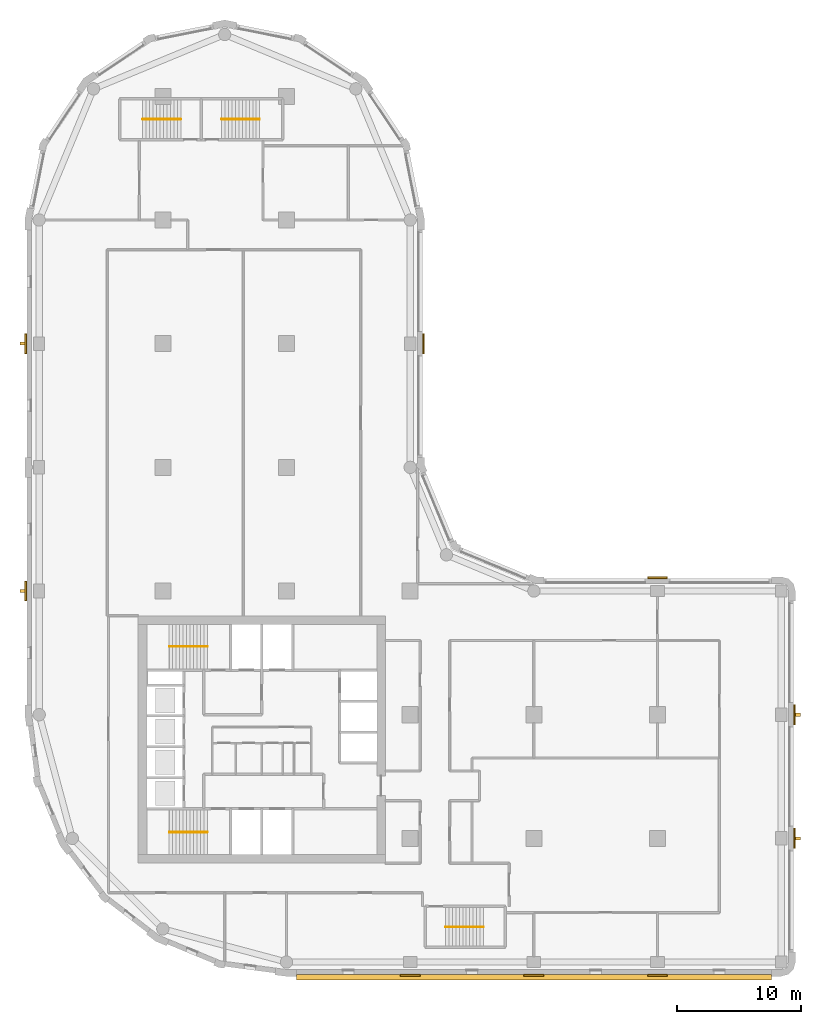
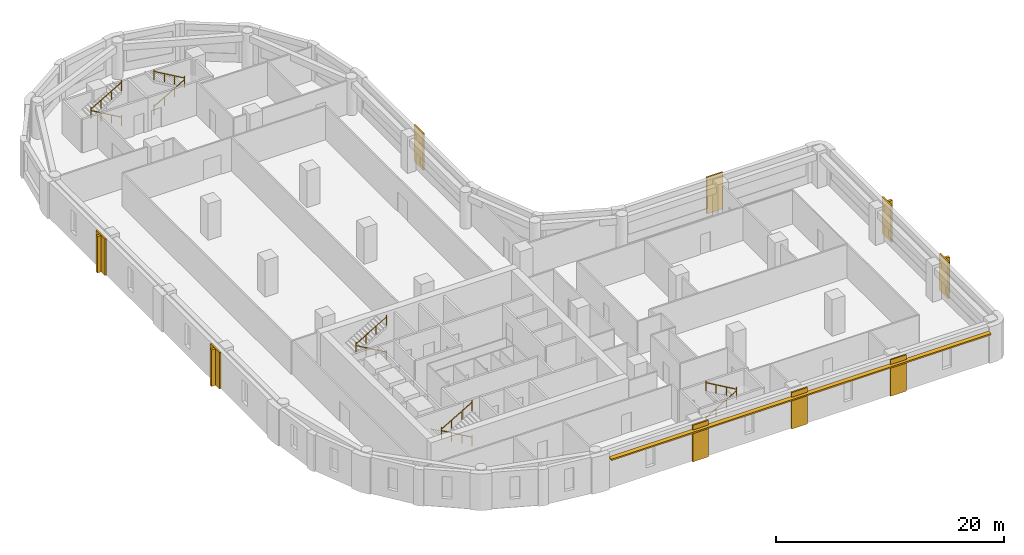
# One storey, part 8 of 9: 10 railings, 9 coverings, 5 shading devices.
"""IFC4 building model written with IfcOpenShell, lengths in metres."""

import ifcopenshell
import ifcopenshell.guid

model = None  # the IFC model being written
_history = None  # IfcOwnerHistory: only IFC2X3 demands one
_inside = {}  # id of a spatial element -> (the spatial element, [elements in it])
_under = {}  # id of a project, library or spatial element -> (it, [spatial elements below it])
_declared = {}  # id of a project -> (the project, [libraries it declares])
_typed = {}  # id of a type object -> (the type object, [elements of that type])
_made_of = {}  # id of a material, layer set ... -> (it, [elements and type objects made of it])


def new_model(schema):
    """Start an empty IFC model of exactly this schema.

    Asked for "IFC4X3", IfcOpenShell would pick the latest addendum, in which some entities
    have other attributes; the version numbers below select the first issue.
    IFC2X3 requires an IfcOwnerHistory on every rooted entity: one is made here for all.
    """
    global model, _history
    if schema == "IFC4X3":
        model = ifcopenshell.file(schema_version=(4, 3, 0, 0))
    else:
        model = ifcopenshell.file(schema=schema)
    _inside.clear()
    _under.clear()
    _declared.clear()
    _typed.clear()
    _made_of.clear()
    _history = None
    if model.schema == "IFC2X3":
        org = make("IfcOrganization", Name="unknown")
        user = make(
            "IfcPersonAndOrganization",
            ThePerson=make("IfcPerson", FamilyName="unknown"),
            TheOrganization=org,
        )
        app = make(
            "IfcApplication",
            ApplicationDeveloper=org,
            Version="unknown",
            ApplicationFullName="unknown",
            ApplicationIdentifier="unknown",
        )
        _history = make(
            "IfcOwnerHistory",
            OwningUser=user,
            OwningApplication=app,
            ChangeAction="ADDED",
            CreationDate=0,
        )
    return model


def make(cls, **values):
    """One entity of the class cls with the attributes given. An attribute that is None is left unset."""
    return model.create_entity(
        cls, **{name: value for name, value in values.items() if value is not None}
    )


def rooted(cls, **values):
    """An entity with a GlobalId (a new one), such as an element, a storey or a relation."""
    return make(cls, GlobalId=ifcopenshell.guid.new(), OwnerHistory=_history, **values)


def si_unit(unit_type, name, prefix=None):
    """IfcSIUnit, for example si_unit("LENGTHUNIT", "METRE", prefix="MILLI")."""
    return make("IfcSIUnit", UnitType=unit_type, Prefix=prefix, Name=name)


def assignment(units):
    """IfcUnitAssignment: the units of a project."""
    return None if units is None else make("IfcUnitAssignment", Units=units)


def point(xyz):
    """IfcCartesianPoint."""
    return None if xyz is None else make("IfcCartesianPoint", Coordinates=xyz)


def direction(xyz):
    """IfcDirection."""
    return None if xyz is None else make("IfcDirection", DirectionRatios=xyz)


def frame(location, z_axis=None, x_axis=None):
    """IfcAxis2Placement3D, a coordinate frame: its origin and axes. An axis left out is left unset."""
    return make(
        "IfcAxis2Placement3D",
        Location=point(location),
        Axis=direction(z_axis),
        RefDirection=direction(x_axis),
    )


def frame_2d(location, x_axis=None):
    """IfcAxis2Placement2D, a coordinate frame in the plane: its origin and x axis."""
    return make(
        "IfcAxis2Placement2D", Location=point(location), RefDirection=direction(x_axis)
    )


def origin():
    """The frame at (0, 0, 0) with its axes left unset."""
    return frame((0.0, 0.0, 0.0))


def origin_2d():
    """The frame at (0, 0) in the plane with its x axis left unset."""
    return frame_2d((0.0, 0.0))


def place(relative_to, where):
    """IfcLocalPlacement: puts the frame where relative to a parent placement (None: the world)."""
    return make(
        "IfcLocalPlacement", PlacementRelTo=relative_to, RelativePlacement=where
    )


def context(
    kind, dimensions, precision=None, world=None, true_north=None, identifier=None
):
    """IfcGeometricRepresentationContext, for example the 3D "Model" context."""
    return make(
        "IfcGeometricRepresentationContext",
        ContextIdentifier=identifier,
        ContextType=kind,
        CoordinateSpaceDimension=dimensions,
        Precision=precision,
        WorldCoordinateSystem=world,
        TrueNorth=true_north,
    )


def subcontext(parent, identifier, kind, view, scale=None):
    """IfcGeometricRepresentationSubContext, for example "Body" below "Model"."""
    return make(
        "IfcGeometricRepresentationSubContext",
        ContextIdentifier=identifier,
        ContextType=kind,
        ParentContext=parent,
        TargetScale=scale,
        TargetView=view,
    )


def project(units=None, contexts=None):
    """IfcProject with its units and contexts."""
    return rooted(
        "IfcProject",
        Name="project",
        RepresentationContexts=contexts,
        UnitsInContext=assignment(units),
    )


def spatial(cls, under=None, at=None, **own):
    """A site, building, storey or space (cls), placed at a placement, below another one or the project."""
    s = rooted(cls, ObjectPlacement=at, **own)
    if under is not None:
        _under.setdefault(under.id(), (under, []))[1].append(s)
    return s


def polyline(points):
    """IfcPolyline through the points."""
    return make("IfcPolyline", Points=[point(p) for p in points])


def profile(cls, at=None, kind="AREA", **sizes):
    """A parametric profile (cls). Its sizes go by their IFC names, for example OverallWidth=200.0."""
    return make(cls, ProfileType=kind, Position=at, **sizes)


def rectangle(**sizes):
    """IfcRectangleProfileDef."""
    return profile("IfcRectangleProfileDef", **sizes)


def circle(**sizes):
    """IfcCircleProfileDef."""
    return profile("IfcCircleProfileDef", **sizes)


def outline(outer, holes=None, kind="AREA"):
    """IfcArbitraryClosedProfileDef: a profile drawn as a closed curve; with holes, ...WithVoids."""
    if holes is None:
        return make("IfcArbitraryClosedProfileDef", ProfileType=kind, OuterCurve=outer)
    return make(
        "IfcArbitraryProfileDefWithVoids",
        ProfileType=kind,
        OuterCurve=outer,
        InnerCurves=holes,
    )


def extrude(swept, where, along, depth):
    """IfcExtrudedAreaSolid: the profile swept, set in the frame where, extruded along a direction by depth."""
    return make(
        "IfcExtrudedAreaSolid",
        SweptArea=swept,
        Position=where,
        ExtrudedDirection=direction(along),
        Depth=depth,
    )


def shape(context_of_items, identifier, shape_type, items):
    """IfcShapeRepresentation: the items that make up one representation, for example the "Body"."""
    return make(
        "IfcShapeRepresentation",
        ContextOfItems=context_of_items,
        RepresentationIdentifier=identifier,
        RepresentationType=shape_type,
        Items=items,
    )


def material(Name=None, Category=None):
    """IfcMaterial."""
    return make("IfcMaterial", Name=Name, Category=Category)


def layer(
    of_material, thickness, ventilated=None, Name=None, Category=None, Priority=None
):
    """IfcMaterialLayer: one layer of a wall or slab, of a material (None: an air gap)."""
    return make(
        "IfcMaterialLayer",
        Material=of_material,
        LayerThickness=thickness,
        IsVentilated=ventilated,
        Name=Name,
        Category=Category,
        Priority=Priority,
    )


def layer_set(layers, Name=None):
    """IfcMaterialLayerSet."""
    return make("IfcMaterialLayerSet", MaterialLayers=layers, LayerSetName=Name)


def made_of(thing, what):
    """Note that an element or type object is made of a material, layer set ...; save() writes the relation."""
    if what is not None:
        _made_of.setdefault(what.id(), (what, []))[1].append(thing)
    return thing


def type_object(cls, material=None, **own):
    """A type object (cls), such as IfcWallType, which elements share."""
    return made_of(rooted(cls, **own), material)


def element(
    cls,
    number,
    at=None,
    inside=None,
    cuts=None,
    type_object=None,
    material=None,
    context=None,
    identifier="Body",
    shape_type=None,
    held_by="IfcProductDefinitionShape",
    body=None,
    shapes=None,
    **own,
):
    """One element of the class cls, such as IfcWall. Its Tag is "e" and its number.

    at: its placement. inside: the storey or other place that contains it. cuts: it is an
    opening in that element (IfcRelVoidsElement). A single representation is given by context,
    identifier, shape_type and body (its items); several are given by shapes. held_by: the class
    of the entity that holds the representations. save() writes the other relations.
    """
    e = rooted(cls, Tag="e%d" % number, ObjectPlacement=at, **own)
    if body is not None:
        shapes = [shape(context, identifier, shape_type, body)]
    if shapes is not None:
        e.Representation = make(held_by, Representations=shapes)
    if inside is not None:
        _inside.setdefault(inside.id(), (inside, []))[1].append(e)
    if cuts is not None:
        rooted(
            "IfcRelVoidsElement", RelatingBuildingElement=cuts, RelatedOpeningElement=e
        )
    if type_object is not None:
        _typed.setdefault(type_object.id(), (type_object, []))[1].append(e)
    return made_of(e, material)


def aggregate(whole, parts):
    """IfcRelAggregates: a whole, such as a stair, and the parts it consists of."""
    return rooted("IfcRelAggregates", RelatingObject=whole, RelatedObjects=parts)


def save(model, path):
    """Write the relations noted so far, then the file.

    IfcRelAggregates (storeys below a building ...), IfcRelContainedInSpatialStructure (elements
    in a storey), IfcRelDefinesByType, IfcRelAssociatesMaterial and IfcRelDeclares: one each for
    every whole, place, type object, material and project.
    """
    for whole, parts in _under.values():
        aggregate(whole, parts)
    for where, things in _inside.values():
        rooted(
            "IfcRelContainedInSpatialStructure",
            RelatedElements=things,
            RelatingStructure=where,
        )
    for kind, things in _typed.values():
        rooted("IfcRelDefinesByType", RelatedObjects=things, RelatingType=kind)
    for what, things in _made_of.values():
        rooted("IfcRelAssociatesMaterial", RelatedObjects=things, RelatingMaterial=what)
    for by, libraries in _declared.values():
        rooted("IfcRelDeclares", RelatingContext=by, RelatedDefinitions=libraries)
    model.write(path)


model = new_model("IFC4")

# Units and contexts
model_context = context("Model", 3, precision=1e-05, world=origin(), true_north=direction((0.0, 1.0)))
body_context = subcontext(model_context, "Body", "Model", "MODEL_VIEW")
ifc_project = project(units=[si_unit("LENGTHUNIT", "METRE"), si_unit("AREAUNIT", "SQUARE_METRE"), si_unit("VOLUMEUNIT", "CUBIC_METRE"), si_unit("PLANEANGLEUNIT", "RADIAN"), si_unit("MASSUNIT", "GRAM", prefix="KILO")], contexts=[model_context])

# Site, building, storey
site_placement = place(None, origin())
site = spatial("IfcSite", under=ifc_project, at=site_placement, CompositionType="ELEMENT")
building_placement = place(site_placement, origin())
building = spatial("IfcBuilding", under=site, at=building_placement, Name="Qaws Garden Tower", CompositionType="ELEMENT")
storey_placement = place(building_placement, frame((0.0, 0.0, 147.300048828125)))
storey = spatial("IfcBuildingStorey", under=building, at=storey_placement, Name="L35", CompositionType="ELEMENT", Elevation=147.300048828125)

# Coverings
ifc_material_1 = material(Name="Clay facing brick masonry", Category="masonry")
ifc_layer_1 = layer(ifc_material_1, 0.14990234375)
ifc_layer_set_1 = layer_set([ifc_layer_1], Name="Clay facing brick masonry")
covering_type = type_object("IfcCoveringType", Name="Brick pilaster facing 150 x 1600", PredefinedType="CLADDING", material=ifc_layer_set_1)
placement = place(storey_placement, origin())
element("IfcCovering", 1, at=placement, inside=storey, type_object=covering_type, Name="E-L35-pier-01", PredefinedType="CLADDING", context=body_context, shape_type="SweptSolid", body=[
    extrude(outline(polyline([(29.199951171875, -1.0), (30.800048828125, -1.0), (30.800048828125, -1.14990234375), (29.199951171875, -1.14990234375), (29.199951171875, -1.0)])), origin(), (0.0, 0.0, 1.0), 3.89990234375),
])
element("IfcCovering", 2, at=placement, inside=storey, type_object=covering_type, Name="E-L35-pier-02", PredefinedType="CLADDING", context=body_context, shape_type="SweptSolid", body=[
    extrude(outline(polyline([(39.199951171875, -1.0), (40.800048828125, -1.0), (40.800048828125, -1.14990234375), (39.199951171875, -1.14990234375), (39.199951171875, -1.0)])), origin(), (0.0, 0.0, 1.0), 3.89990234375),
])
element("IfcCovering", 3, at=placement, inside=storey, type_object=covering_type, Name="E-L35-pier-03", PredefinedType="CLADDING", context=body_context, shape_type="SweptSolid", body=[
    extrude(outline(polyline([(49.199951171875, -1.0), (50.800048828125, -1.0), (50.800048828125, -1.14990234375), (49.199951171875, -1.14990234375), (49.199951171875, -1.0)])), origin(), (0.0, 0.0, 1.0), 3.89990234375),
])
element("IfcCovering", 4, at=placement, inside=storey, type_object=covering_type, Name="E-L35-pier-05", PredefinedType="CLADDING", context=body_context, shape_type="SweptSolid", body=[
    extrude(outline(polyline([(61.0, 9.199951171875), (61.0, 10.800048828125), (61.14990234375, 10.800048828125), (61.14990234375, 9.199951171875), (61.0, 9.199951171875)])), origin(), (0.0, 0.0, 1.0), 3.89990234375),
])
element("IfcCovering", 5, at=placement, inside=storey, type_object=covering_type, Name="E-L35-pier-06", PredefinedType="CLADDING", context=body_context, shape_type="SweptSolid", body=[
    extrude(outline(polyline([(61.0, 19.199951171875), (61.0, 20.800048828125), (61.14990234375, 20.800048828125), (61.14990234375, 19.199951171875), (61.0, 19.199951171875)])), origin(), (0.0, 0.0, 1.0), 3.89990234375),
])
element("IfcCovering", 6, at=placement, inside=storey, type_object=covering_type, Name="E-L35-pier-08", PredefinedType="CLADDING", context=body_context, shape_type="SweptSolid", body=[
    extrude(outline(polyline([(50.800048828125, 31.0), (49.199951171875, 31.0), (49.199951171875, 31.14990234375), (50.800048828125, 31.14990234375), (50.800048828125, 31.0)])), origin(), (0.0, 0.0, 1.0), 3.89990234375),
])
element("IfcCovering", 7, at=placement, inside=storey, type_object=covering_type, Name="E-L35-pier-12", PredefinedType="CLADDING", context=body_context, shape_type="SweptSolid", body=[
    extrude(outline(polyline([(31.0, 49.199951171875), (31.0, 50.800048828125), (31.14990234375, 50.800048828125), (31.14990234375, 49.199951171875), (31.0, 49.199951171875)])), origin(), (0.0, 0.0, 1.0), 3.89990234375),
])
element("IfcCovering", 8, at=placement, inside=storey, type_object=covering_type, Name="E-L35-pier-22", PredefinedType="CLADDING", context=body_context, shape_type="SweptSolid", body=[
    extrude(outline(polyline([(-1.0, 50.800048828125), (-1.0, 49.199951171875), (-1.14990234375, 49.199951171875), (-1.14990234375, 50.800048828125), (-1.0, 50.800048828125)])), origin(), (0.0, 0.0, 1.0), 3.89990234375),
])
element("IfcCovering", 9, at=placement, inside=storey, type_object=covering_type, Name="E-L35-pier-24", PredefinedType="CLADDING", context=body_context, shape_type="SweptSolid", body=[
    extrude(outline(polyline([(-1.0, 30.800048828125), (-1.0, 29.199951171875), (-1.14990234375, 29.199951171875), (-1.14990234375, 30.800048828125), (-1.0, 30.800048828125)])), origin(), (0.0, 0.0, 1.0), 3.89990234375),
])

# Shading devices
ifc_material_2 = material(Name="Clay facing brick masonry", Category="masonry")
ifc_layer_2 = layer(ifc_material_2, 0.14990234375)
ifc_layer_set_2 = layer_set([ifc_layer_2], Name="Clay facing brick masonry")
shading_device_type_1 = type_object("IfcShadingDeviceType", Name="Brick sunshade band 450 x 150", PredefinedType="JALOUSIE", material=ifc_layer_set_2)
shading_device_placement = place(storey_placement, frame((0.0, 0.0, 3.25)))
element("IfcShadingDevice", 10, at=shading_device_placement, inside=storey, type_object=shading_device_type_1, Name="SUNSHADE 00", PredefinedType="JALOUSIE", context=body_context, shape_type="SweptSolid", body=[
    extrude(outline(polyline([(20.800048828125, -1.0), (20.800048828125, -1.449951171875), (59.199951171875, -1.449951171875), (59.199951171875, -1.0), (50.800048828125, -1.0), (50.800048828125, -1.14990234375), (49.199951171875, -1.14990234375), (49.199951171875, -1.0), (40.800048828125, -1.0), (40.800048828125, -1.14990234375), (39.199951171875, -1.14990234375), (39.199951171875, -1.0), (30.800048828125, -1.0), (30.800048828125, -1.14990234375), (29.199951171875, -1.14990234375), (29.199951171875, -1.0), (20.800048828125, -1.0)])), origin(), (0.0, 0.0, 1.0), 0.14990234375),
])
ifc_material_3 = material(Name="Clay facing brick masonry", Category="masonry")
ifc_layer_3 = layer(ifc_material_3, 0.25)
ifc_layer_set_3 = layer_set([ifc_layer_3], Name="Clay facing brick masonry")
shading_device_type_2 = type_object("IfcShadingDeviceType", Name="Brick-faced fin 250 x 400", PredefinedType="USERDEFINED", material=ifc_layer_set_3)
for number, where, z_axis, x_axis, name in (
    (11, (61.35009765625, 10.0, 0.0), (0.0, 0.0, 1.0), (0.0, 1.0, 0.0), "FIN 05"),
    (12, (61.35009765625, 20.0, 0.0), (0.0, 0.0, 1.0), (0.0, 1.0, 0.0), "FIN 06"),
    (13, (-1.35009765625, 50.0, 0.0), (0.0, 0.0, 1.0), (0.0, -1.0, 0.0), "FIN 22"),
    (14, (-1.35009765625, 30.0, 0.0), (0.0, 0.0, 1.0), (0.0, -1.0, 0.0), "FIN 24"),
):
    element("IfcShadingDevice", number, at=place(storey_placement, frame(where, z_axis=z_axis, x_axis=x_axis)), inside=storey, type_object=shading_device_type_2, Name=name, ObjectType="FIN", PredefinedType="USERDEFINED", context=body_context, shape_type="SweptSolid", body=[
        extrude(rectangle(XDim=0.25, YDim=0.39990234375, at=origin_2d()), origin(), (0.0, 0.0, 1.0), 3.89990234375),
    ])

# Railings
ifc_material_4 = material(Name="Steel S355", Category="steel")
railing_type = type_object("IfcRailingType", Name="Stair handrail 900", PredefinedType="HANDRAIL", material=ifc_material_4)
railing_1_placement = place(storey_placement, frame((13.60009765625, 10.5, 0.162353515625)))
element("IfcRailing", 15, at=railing_1_placement, inside=storey, type_object=railing_type, Name="Stair 1 handrail", PredefinedType="HANDRAIL", context=body_context, shape_type="SweptSolid", body=[
    extrude(circle(Radius=0.02392578125, at=origin_2d()), frame((0.0, 0.0, 0.8759765625), z_axis=(-0.864890721111, 0.0, 0.501960198159), x_axis=(0.0, -1.0, 0.0)), (0.0, 0.0, 1.0), 3.561279296875),
    extrude(circle(Radius=0.02099609375, at=origin_2d()), origin(), (0.0, 0.0, 1.0), 1.06201171875),
    extrude(circle(Radius=0.02099609375, at=origin_2d()), frame((-1.026611328125, 0.0, 0.595947265625)), (0.0, 0.0, 1.0), 0.851806640625),
    extrude(circle(Radius=0.02099609375, at=origin_2d()), frame((-2.053466796875, 0.0, 1.191650390625)), (0.0, 0.0, 1.0), 0.851806640625),
    extrude(circle(Radius=0.02099609375, at=origin_2d()), frame((-3.080078125, 0.0, 1.78759765625)), (0.0, 0.0, 1.0), 1.06201171875),
])
railing_2_placement = place(storey_placement, frame((10.52001953125, 10.5, 2.112548828125)))
element("IfcRailing", 16, at=railing_2_placement, inside=storey, type_object=railing_type, Name="Stair 1 handrail", PredefinedType="HANDRAIL", context=body_context, shape_type="SweptSolid", body=[
    extrude(circle(Radius=0.02392578125, at=origin_2d()), frame((0.0, 0.0, 0.8759765625), z_axis=(0.864920483161, 0.0, 0.501908913857), x_axis=(0.0, 1.0, 0.0)), (0.0, 0.0, 1.0), 3.56103515625),
    extrude(circle(Radius=0.02099609375, at=origin_2d()), origin(), (0.0, 0.0, 1.0), 1.06201171875),
    extrude(circle(Radius=0.02099609375, at=origin_2d()), frame((1.026611328125, 0.0, 0.595703125)), (0.0, 0.0, 1.0), 0.851806640625),
    extrude(circle(Radius=0.02099609375, at=origin_2d()), frame((2.053466796875, 0.0, 1.191650390625)), (0.0, 0.0, 1.0), 0.851806640625),
    extrude(circle(Radius=0.02099609375, at=origin_2d()), frame((3.080078125, 0.0, 1.787353515625)), (0.0, 0.0, 1.0), 1.06201171875),
])
railing_3_placement = place(storey_placement, frame((13.60009765625, 25.5, 0.162353515625)))
element("IfcRailing", 17, at=railing_3_placement, inside=storey, type_object=railing_type, Name="Stair 4 handrail", PredefinedType="HANDRAIL", context=body_context, shape_type="SweptSolid", body=[
    extrude(circle(Radius=0.02392578125, at=origin_2d()), frame((0.0, 0.0, 0.8759765625), z_axis=(-0.864890721111, 0.0, 0.501960198159), x_axis=(0.0, -1.0, 0.0)), (0.0, 0.0, 1.0), 3.561279296875),
    extrude(circle(Radius=0.02099609375, at=origin_2d()), origin(), (0.0, 0.0, 1.0), 1.06201171875),
    extrude(circle(Radius=0.02099609375, at=origin_2d()), frame((-1.026611328125, 0.0, 0.595947265625)), (0.0, 0.0, 1.0), 0.851806640625),
    extrude(circle(Radius=0.02099609375, at=origin_2d()), frame((-2.053466796875, 0.0, 1.191650390625)), (0.0, 0.0, 1.0), 0.851806640625),
    extrude(circle(Radius=0.02099609375, at=origin_2d()), frame((-3.080078125, 0.0, 1.78759765625)), (0.0, 0.0, 1.0), 1.06201171875),
])
railing_4_placement = place(storey_placement, frame((10.52001953125, 25.5, 2.112548828125)))
element("IfcRailing", 18, at=railing_4_placement, inside=storey, type_object=railing_type, Name="Stair 4 handrail", PredefinedType="HANDRAIL", context=body_context, shape_type="SweptSolid", body=[
    extrude(circle(Radius=0.02392578125, at=origin_2d()), frame((0.0, 0.0, 0.8759765625), z_axis=(0.864920483161, 0.0, 0.501908913857), x_axis=(0.0, 1.0, 0.0)), (0.0, 0.0, 1.0), 3.56103515625),
    extrude(circle(Radius=0.02099609375, at=origin_2d()), origin(), (0.0, 0.0, 1.0), 1.06201171875),
    extrude(circle(Radius=0.02099609375, at=origin_2d()), frame((1.026611328125, 0.0, 0.595703125)), (0.0, 0.0, 1.0), 0.851806640625),
    extrude(circle(Radius=0.02099609375, at=origin_2d()), frame((2.053466796875, 0.0, 1.191650390625)), (0.0, 0.0, 1.0), 0.851806640625),
    extrude(circle(Radius=0.02099609375, at=origin_2d()), frame((3.080078125, 0.0, 1.787353515625)), (0.0, 0.0, 1.0), 1.06201171875),
])
railing_5_placement = place(storey_placement, frame((32.85009765625, 2.85009765625, 0.162353515625)))
element("IfcRailing", 19, at=railing_5_placement, inside=storey, type_object=railing_type, Name="Stair 5 handrail", PredefinedType="HANDRAIL", context=body_context, shape_type="SweptSolid", body=[
    extrude(circle(Radius=0.02392578125, at=origin_2d()), frame((0.0, 0.0, 0.8759765625), z_axis=(0.864873446163, 0.0, 0.501989962173), x_axis=(0.0, 1.0, 0.0)), (0.0, 0.0, 1.0), 3.56103515625),
    extrude(circle(Radius=0.02099609375, at=origin_2d()), origin(), (0.0, 0.0, 1.0), 1.06201171875),
    extrude(circle(Radius=0.02099609375, at=origin_2d()), frame((1.026611328125, 0.0, 0.595947265625)), (0.0, 0.0, 1.0), 0.851806640625),
    extrude(circle(Radius=0.02099609375, at=origin_2d()), frame((2.05322265625, 0.0, 1.191650390625)), (0.0, 0.0, 1.0), 0.851806640625),
    extrude(circle(Radius=0.02099609375, at=origin_2d()), frame((3.079833984375, 0.0, 1.78759765625)), (0.0, 0.0, 1.0), 1.06201171875),
])
railing_6_placement = place(storey_placement, frame((35.929931640625, 2.85009765625, 2.112548828125)))
element("IfcRailing", 20, at=railing_6_placement, inside=storey, type_object=railing_type, Name="Stair 5 handrail", PredefinedType="HANDRAIL", context=body_context, shape_type="SweptSolid", body=[
    extrude(circle(Radius=0.02392578125, at=origin_2d()), frame((0.0, 0.0, 0.8759765625), z_axis=(-0.864903211148, 0.0, 0.501938676878), x_axis=(0.0, -1.0, 0.0)), (0.0, 0.0, 1.0), 3.560791015625),
    extrude(circle(Radius=0.02099609375, at=origin_2d()), origin(), (0.0, 0.0, 1.0), 1.06201171875),
    extrude(circle(Radius=0.02099609375, at=origin_2d()), frame((-1.026611328125, 0.0, 0.595703125)), (0.0, 0.0, 1.0), 0.851806640625),
    extrude(circle(Radius=0.02099609375, at=origin_2d()), frame((-2.05322265625, 0.0, 1.191650390625)), (0.0, 0.0, 1.0), 0.851806640625),
    extrude(circle(Radius=0.02099609375, at=origin_2d()), frame((-3.079833984375, 0.0, 1.787353515625)), (0.0, 0.0, 1.0), 1.06201171875),
])
railing_7_placement = place(storey_placement, frame((11.449951171875, 68.14990234375, 0.162353515625)))
element("IfcRailing", 21, at=railing_7_placement, inside=storey, type_object=railing_type, Name="Stair 6 handrail", PredefinedType="HANDRAIL", context=body_context, shape_type="SweptSolid", body=[
    extrude(circle(Radius=0.02392578125, at=origin_2d()), frame((0.0, 0.0, 0.8759765625), z_axis=(-0.864873446163, 0.0, 0.501989962173), x_axis=(0.0, -1.0, 0.0)), (0.0, 0.0, 1.0), 3.56103515625),
    extrude(circle(Radius=0.02099609375, at=origin_2d()), origin(), (0.0, 0.0, 1.0), 1.06201171875),
    extrude(circle(Radius=0.02099609375, at=origin_2d()), frame((-1.026611328125, 0.0, 0.595947265625)), (0.0, 0.0, 1.0), 0.851806640625),
    extrude(circle(Radius=0.02099609375, at=origin_2d()), frame((-2.05322265625, 0.0, 1.191650390625)), (0.0, 0.0, 1.0), 0.851806640625),
    extrude(circle(Radius=0.02099609375, at=origin_2d()), frame((-3.079833984375, 0.0, 1.78759765625)), (0.0, 0.0, 1.0), 1.06201171875),
])
railing_8_placement = place(storey_placement, frame((8.3701171875, 68.14990234375, 2.112548828125)))
element("IfcRailing", 22, at=railing_8_placement, inside=storey, type_object=railing_type, Name="Stair 6 handrail", PredefinedType="HANDRAIL", context=body_context, shape_type="SweptSolid", body=[
    extrude(circle(Radius=0.02392578125, at=origin_2d()), frame((0.0, 0.0, 0.8759765625), z_axis=(0.864903211148, 0.0, 0.501938676878), x_axis=(0.0, 1.0, 0.0)), (0.0, 0.0, 1.0), 3.560791015625),
    extrude(circle(Radius=0.02099609375, at=origin_2d()), origin(), (0.0, 0.0, 1.0), 1.06201171875),
    extrude(circle(Radius=0.02099609375, at=origin_2d()), frame((1.026611328125, 0.0, 0.595703125)), (0.0, 0.0, 1.0), 0.851806640625),
    extrude(circle(Radius=0.02099609375, at=origin_2d()), frame((2.05322265625, 0.0, 1.191650390625)), (0.0, 0.0, 1.0), 0.851806640625),
    extrude(circle(Radius=0.02099609375, at=origin_2d()), frame((3.079833984375, 0.0, 1.787353515625)), (0.0, 0.0, 1.0), 1.06201171875),
])
railing_9_placement = place(storey_placement, frame((14.75, 68.14990234375, 0.162353515625)))
element("IfcRailing", 23, at=railing_9_placement, inside=storey, type_object=railing_type, Name="Stair 7 handrail", PredefinedType="HANDRAIL", context=body_context, shape_type="SweptSolid", body=[
    extrude(circle(Radius=0.02392578125, at=origin_2d()), frame((0.0, 0.0, 0.8759765625), z_axis=(0.864890721111, 0.0, 0.501960198159), x_axis=(0.0, 1.0, 0.0)), (0.0, 0.0, 1.0), 3.561279296875),
    extrude(circle(Radius=0.02099609375, at=origin_2d()), origin(), (0.0, 0.0, 1.0), 1.06201171875),
    extrude(circle(Radius=0.02099609375, at=origin_2d()), frame((1.026611328125, 0.0, 0.595947265625)), (0.0, 0.0, 1.0), 0.851806640625),
    extrude(circle(Radius=0.02099609375, at=origin_2d()), frame((2.053466796875, 0.0, 1.191650390625)), (0.0, 0.0, 1.0), 0.851806640625),
    extrude(circle(Radius=0.02099609375, at=origin_2d()), frame((3.080078125, 0.0, 1.78759765625)), (0.0, 0.0, 1.0), 1.06201171875),
])
railing_10_placement = place(storey_placement, frame((17.830078125, 68.14990234375, 2.112548828125)))
element("IfcRailing", 24, at=railing_10_placement, inside=storey, type_object=railing_type, Name="Stair 7 handrail", PredefinedType="HANDRAIL", context=body_context, shape_type="SweptSolid", body=[
    extrude(circle(Radius=0.02392578125, at=origin_2d()), frame((0.0, 0.0, 0.8759765625), z_axis=(-0.864920483161, 0.0, 0.501908913857), x_axis=(0.0, -1.0, 0.0)), (0.0, 0.0, 1.0), 3.56103515625),
    extrude(circle(Radius=0.02099609375, at=origin_2d()), origin(), (0.0, 0.0, 1.0), 1.06201171875),
    extrude(circle(Radius=0.02099609375, at=origin_2d()), frame((-1.026611328125, 0.0, 0.595703125)), (0.0, 0.0, 1.0), 0.851806640625),
    extrude(circle(Radius=0.02099609375, at=origin_2d()), frame((-2.053466796875, 0.0, 1.191650390625)), (0.0, 0.0, 1.0), 0.851806640625),
    extrude(circle(Radius=0.02099609375, at=origin_2d()), frame((-3.080078125, 0.0, 1.787353515625)), (0.0, 0.0, 1.0), 1.06201171875),
])

save(model, "model.ifc")
